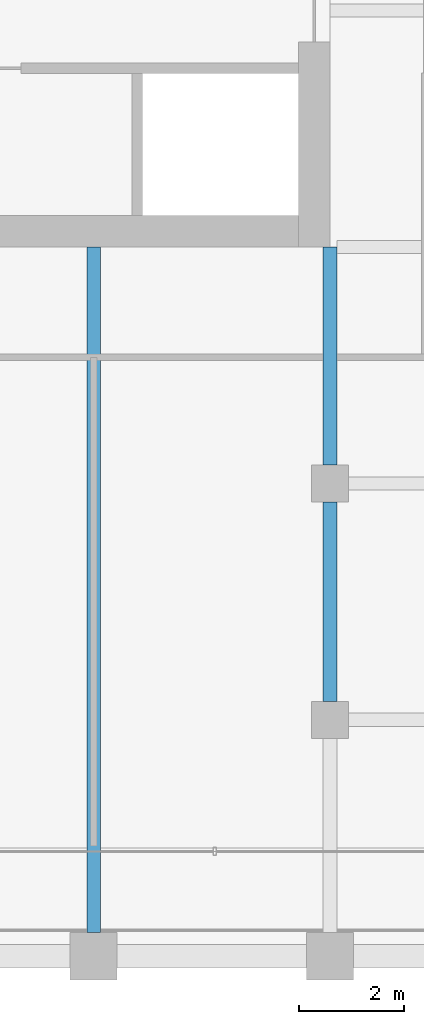
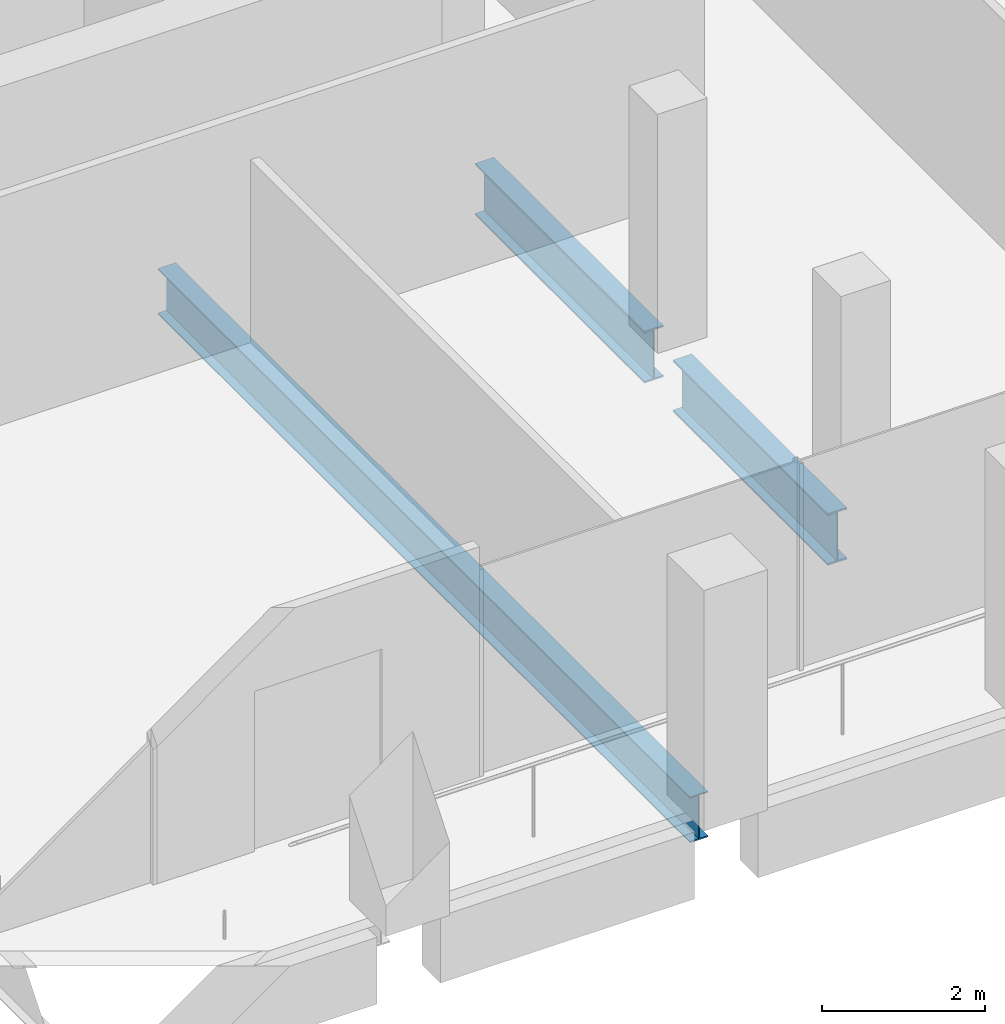
# One storey, part 10 of 40: 3 beams.
"""IFC4 building model written with IfcOpenShell, lengths in metres."""

from ifc_helpers import new_model, si_unit, direction, frame, origin, origin_2d, place, context, subcontext, project, spatial, i_section, extrude, material, material_profile, profile_set, type_object, element, save


model = new_model("IFC4")

# Units and contexts
model_context = context("Model", 3, precision=1e-05, world=origin(), true_north=direction((0.0, 1.0)))
body_context = subcontext(model_context, "Body", "Model", "MODEL_VIEW")
ifc_project = project(units=[si_unit("LENGTHUNIT", "METRE"), si_unit("AREAUNIT", "SQUARE_METRE"), si_unit("VOLUMEUNIT", "CUBIC_METRE"), si_unit("PLANEANGLEUNIT", "RADIAN"), si_unit("MASSUNIT", "GRAM", prefix="KILO")], contexts=[model_context])

# Site, building, storey
site_placement = place(None, origin())
site = spatial("IfcSite", under=ifc_project, at=site_placement, CompositionType="ELEMENT")
building_placement = place(site_placement, origin())
building = spatial("IfcBuilding", under=site, at=building_placement, Name="Altepetl Exchange Towers", CompositionType="ELEMENT")
storey_placement = place(building_placement, frame((0.0, 0.0, 158.199951171875)))
storey = spatial("IfcBuildingStorey", under=building, at=storey_placement, Name="L39", CompositionType="ELEMENT", Elevation=158.199951171875)

# Beams
ifc_material = material(Name="Steel S355", Category="steel")
ifc_material_profile_1 = material_profile(ifc_material, i_section(OverallWidth=0.25390625, OverallDepth=0.68408203125, WebThickness=0.012451171875, FlangeThickness=0.018798828125, at=origin_2d()), Name="W27X94")
ifc_profile_set_1 = profile_set([ifc_material_profile_1], Name="Steel S355")
beam_type_1 = type_object("IfcBeamType", Name="Floor beam W27X94", PredefinedType="BEAM", material=ifc_profile_set_1)
beam_1_placement = place(storey_placement, frame((54.0, 27.449951171875, -0.491943359375), z_axis=(0.0, 1.0, 0.0), x_axis=(-1.0, 0.0, 0.0)))
element("IfcBeam", 1, at=beam_1_placement, inside=storey, type_object=beam_type_1, Name="bm:A:L39:017", PredefinedType="BEAM", context=body_context, shape_type="SweptSolid", body=[
    extrude(i_section(OverallWidth=0.25390625, OverallDepth=0.68408203125, WebThickness=0.012451171875, FlangeThickness=0.018798828125, at=origin_2d()), origin(), (0.0, 0.0, 1.0), 13.050048828125),
])
ifc_material_profile_2 = material_profile(ifc_material, i_section(OverallWidth=0.26806640625, OverallDepth=0.77392578125, WebThickness=0.015380859375, FlangeThickness=0.025390625, at=origin_2d()), Name="W30X132")
ifc_profile_set_2 = profile_set([ifc_material_profile_2], Name="Steel S355")
beam_type_2 = type_object("IfcBeamType", Name="Girder W30X132", PredefinedType="BEAM", material=ifc_profile_set_2)
beam_2_placement = place(storey_placement, frame((58.5, 40.5, -0.536865234375), z_axis=(0.0, -1.0, 0.0), x_axis=(1.0, 0.0, 0.0)))
element("IfcBeam", 2, at=beam_2_placement, inside=storey, type_object=beam_type_2, Name="gd:A:L39:003", PredefinedType="BEAM", context=body_context, shape_type="SweptSolid", body=[
    extrude(i_section(OverallWidth=0.26806640625, OverallDepth=0.77392578125, WebThickness=0.015380859375, FlangeThickness=0.025390625, at=origin_2d()), origin(), (0.0, 0.0, 1.0), 4.14990234375),
])
beam_3_placement = place(storey_placement, frame((58.5, 35.64990234375, -0.536865234375), z_axis=(0.0, -1.0, 0.0), x_axis=(1.0, 0.0, 0.0)))
element("IfcBeam", 3, at=beam_3_placement, inside=storey, type_object=beam_type_2, Name="gd:A:L39:004", PredefinedType="BEAM", context=body_context, shape_type="SweptSolid", body=[
    extrude(i_section(OverallWidth=0.26806640625, OverallDepth=0.77392578125, WebThickness=0.015380859375, FlangeThickness=0.025390625, at=origin_2d()), origin(), (0.0, 0.0, 1.0), 3.7998046875),
])

save(model, "model.ifc")
